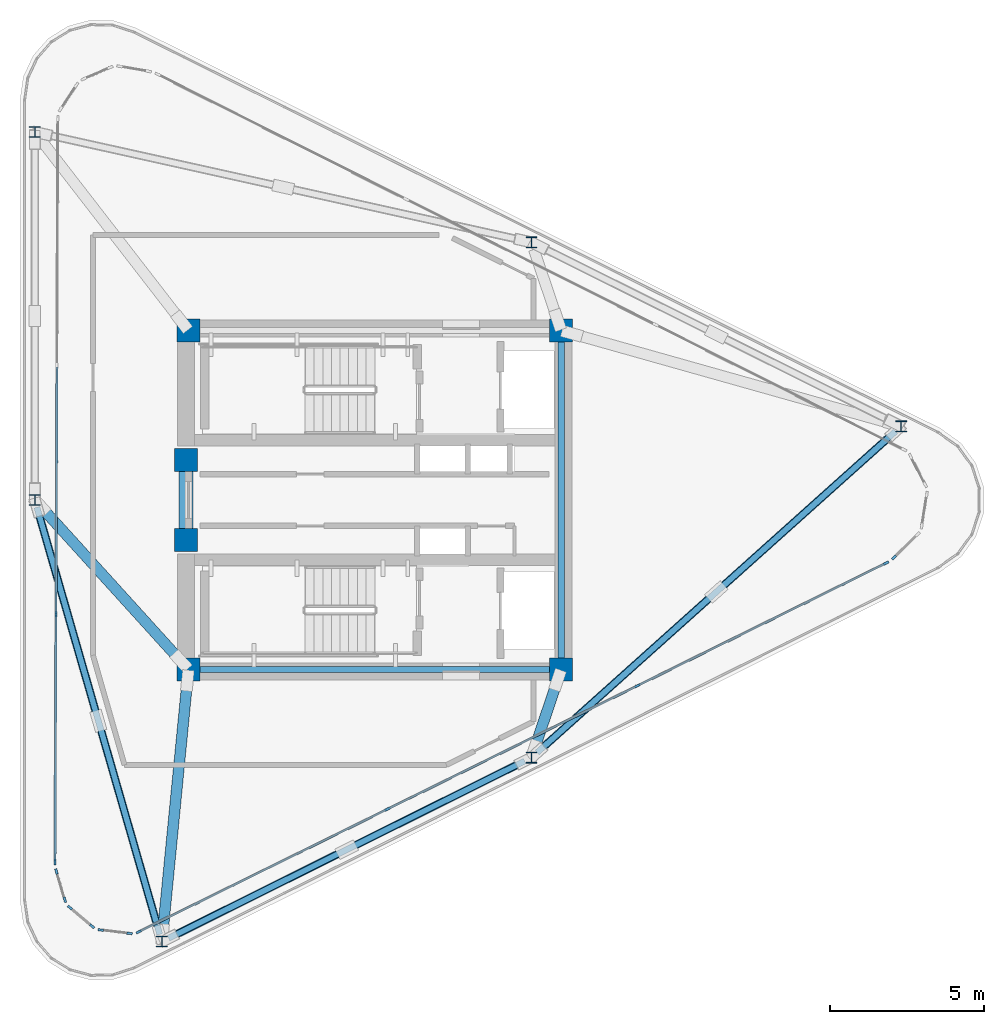
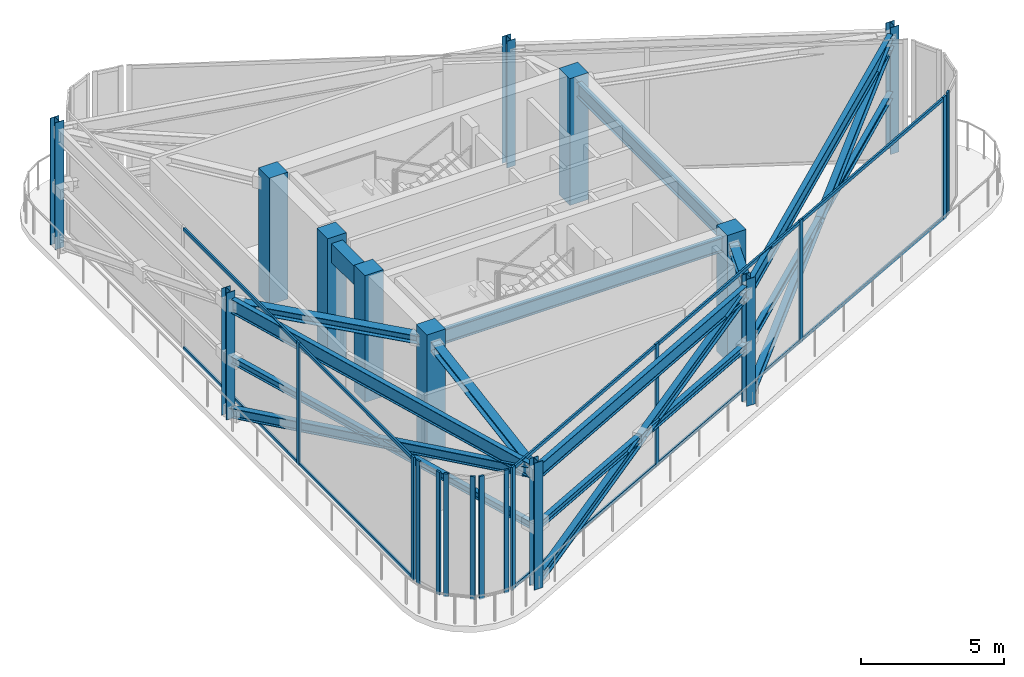
# One storey, part 1 of 9: 35 members, 12 columns, 6 beams, 6 elements without a shape of their own.
"""IFC4 building model written with IfcOpenShell, lengths in metres."""

from ifc_helpers import new_model, si_unit, direction, frame, origin, origin_2d, place, context, subcontext, project, spatial, rectangle, i_section, extrude, source, transform, mapped, material, layer, layer_set, material_profile, profile_set, type_object, element, aggregate, save


model = new_model("IFC4")

# Units and contexts
model_context = context("Model", 3, precision=1e-05, world=origin(), true_north=direction((0.0, 1.0)))
body_context = subcontext(model_context, "Body", "Model", "MODEL_VIEW")
ifc_project = project(units=[si_unit("LENGTHUNIT", "METRE"), si_unit("AREAUNIT", "SQUARE_METRE"), si_unit("VOLUMEUNIT", "CUBIC_METRE"), si_unit("PLANEANGLEUNIT", "RADIAN"), si_unit("MASSUNIT", "GRAM", prefix="KILO")], contexts=[model_context])

# Site, building, storey
site_placement = place(None, origin())
site = spatial("IfcSite", under=ifc_project, at=site_placement, CompositionType="ELEMENT")
building_placement = place(site_placement, origin())
building = spatial("IfcBuilding", under=site, at=building_placement, Name="Yunling Apex Tower", CompositionType="ELEMENT")
storey_placement = place(building_placement, frame((0.0, 0.0, 317.449951171875)))
storey = spatial("IfcBuildingStorey", under=building, at=storey_placement, Name="C01", CompositionType="ELEMENT", Elevation=317.449951171875)

# Columns
ifc_material_1 = material(Name="Concrete C50", Category="concrete")
ifc_material_profile_1 = material_profile(ifc_material_1, rectangle(XDim=0.75, YDim=0.75, at=origin_2d()))
ifc_profile_set_1 = profile_set([ifc_material_profile_1], Name="Concrete C50")
column_type_1 = type_object("IfcColumnType", Name="PC-SRC-4", PredefinedType="COLUMN", material=ifc_profile_set_1)
shared_shape_1 = source(origin(), body_context, "Body", "SweptSolid", [
    extrude(rectangle(XDim=0.75, YDim=0.75, at=origin_2d()), origin(), (0.0, 0.0, 1.0), 5.400146484375),
])
for number, where, z_axis, x_axis, name in (
    (1, (-6.050048828125, -5.5, 0.0), (0.0, 0.0, 1.0), (1.0, 0.0, 0.0), "C01 Core Spine Column CC-SW"),
    (2, (6.050048828125, -5.5, 0.0), (0.0, 0.0, 1.0), (1.0, 0.0, 0.0), "C01 Core Spine Column CC-SE"),
    (3, (6.050048828125, 5.5, 0.0), (0.0, 0.0, 1.0), (1.0, 0.0, 0.0), "C01 Core Spine Column CC-NE"),
    (4, (-6.050048828125, 5.5, 0.0), (0.0, 0.0, 1.0), (1.0, 0.0, 0.0), "C01 Core Spine Column CC-NW"),
    (5, (-6.125, -1.300048828125, 0.0), (0.0, 0.0, 1.0), (1.0, 0.0, 0.0), "C01 Core West Portal Jamb Column S"),
    (6, (-6.125, 1.300048828125, 0.0), (0.0, 0.0, 1.0), (1.0, 0.0, 0.0), "C01 Core West Portal Jamb Column N"),
):
    element("IfcColumn", number, at=place(storey_placement, frame(where, z_axis=z_axis, x_axis=x_axis)), inside=storey, type_object=column_type_1, Name=name, PredefinedType="COLUMN", context=body_context, shape_type="MappedRepresentation", body=[
        mapped(shared_shape_1, transform((0.0, 0.0, 0.0), scale=1.0)),
    ])
ifc_material_2 = material(Name="Steel Q355B", Category="steel")
ifc_material_profile_2 = material_profile(ifc_material_2, i_section(OverallWidth=0.35009765625, OverallDepth=0.35009765625, WebThickness=0.011962890625, FlangeThickness=0.01904296875, FilletRadius=0.01611328125, at=origin_2d()))
ifc_profile_set_2 = profile_set([ifc_material_profile_2], Name="Steel Q355B")
column_type_2 = type_object("IfcColumnType", Name="CC-STL-2", PredefinedType="COLUMN", material=ifc_profile_set_2)
shared_shape_2 = source(origin(), body_context, "Body", "SweptSolid", [
    extrude(i_section(OverallWidth=0.35009765625, OverallDepth=0.35009765625, WebThickness=0.011962890625, FlangeThickness=0.01904296875, FilletRadius=0.01611328125, at=origin_2d()), origin(), (0.0, 0.0, 1.0), 5.400146484375),
])
for number, where, z_axis, x_axis, name in (
    (7, (-6.9140625, -14.336669921875, 0.0), (0.0, 0.0, 1.0), (1.0, 0.0, 0.0), "C01 Crown Frame Column CP1"),
    (8, (5.086181640625, -8.364013671875, 0.0), (0.0, 0.0, 1.0), (1.0, 0.0, 0.0), "C01 Crown Frame Column CP2"),
    (9, (17.086669921875, 2.3916015625, 0.0), (0.0, 0.0, 1.0), (1.0, 0.0, 0.0), "C01 Crown Frame Column CP3"),
    (10, (5.086181640625, 8.364013671875, 0.0), (0.0, 0.0, 1.0), (1.0, 0.0, 0.0), "C01 Crown Frame Column CP4"),
    (11, (-11.037353515625, 11.9453125, 0.0), (0.0, 0.0, 1.0), (1.0, 0.0, 0.0), "C01 Crown Frame Column CP5"),
    (12, (-11.037353515625, 0.0, 0.0), (0.0, 0.0, 1.0), (1.0, 0.0, 0.0), "C01 Crown Frame Column CP6"),
):
    element("IfcColumn", number, at=place(storey_placement, frame(where, z_axis=z_axis, x_axis=x_axis)), inside=storey, type_object=column_type_2, Name=name, PredefinedType="COLUMN", context=body_context, shape_type="MappedRepresentation", body=[
        mapped(shared_shape_2, transform((0.0, 0.0, 0.0), scale=1.0)),
    ])

# Beams
ifc_material_3 = material(Name="Concrete C40", Category="concrete")
ifc_material_profile_3 = material_profile(ifc_material_3, rectangle(XDim=0.449951171875, YDim=0.800048828125, at=origin_2d()))
ifc_profile_set_3 = profile_set([ifc_material_profile_3], Name="Concrete C40")
beam_type_1 = type_object("IfcBeamType", Name="BC-CPL-3", PredefinedType="BEAM", material=ifc_profile_set_3)
shared_shape_3 = source(origin(), body_context, "Body", "SweptSolid", [
    extrude(rectangle(XDim=0.449951171875, YDim=0.800048828125, at=origin_2d()), origin(), (0.0, 0.0, 1.0), 2.5),
])
beam_1_placement = place(storey_placement, frame((-6.125, -1.25, 4.739990234375), z_axis=(0.0, 1.0, 0.0), x_axis=(-1.0, 0.0, 0.0)))
element("IfcBeam", 13, at=beam_1_placement, inside=storey, type_object=beam_type_1, Name="C01 Core West Portal Coupling Beam", PredefinedType="BEAM", context=body_context, shape_type="MappedRepresentation", body=[
    mapped(shared_shape_3, transform((0.0, 0.0, 0.0), scale=1.0)),
])
ifc_material_profile_4 = material_profile(ifc_material_2, i_section(OverallWidth=0.199951171875, OverallDepth=0.60009765625, WebThickness=0.010986328125, FlangeThickness=0.01708984375, FilletRadius=0.02197265625, at=origin_2d()))
ifc_profile_set_4 = profile_set([ifc_material_profile_4], Name="Steel Q355B")
beam_type_2 = type_object("IfcBeamType", Name="BG-PRI-5", PredefinedType="USERDEFINED", material=ifc_profile_set_4)
shared_shape_4 = source(origin(), body_context, "Body", "SweptSolid", [
    extrude(i_section(OverallWidth=0.199951171875, OverallDepth=0.60009765625, WebThickness=0.010986328125, FlangeThickness=0.01708984375, FilletRadius=0.02197265625, at=origin_2d()), origin(), (0.0, 0.0, 1.0), 11.7998046875),
])
beam_2_placement = place(storey_placement, frame((-5.89990234375, -5.5, 4.840087890625), z_axis=(1.0, 0.0, 0.0), x_axis=(0.0, 1.0, 0.0)))
element("IfcBeam", 14, at=beam_2_placement, inside=storey, type_object=beam_type_2, Name="C01 Core Ring Tie Beam 1", ObjectType="GIRDER", PredefinedType="USERDEFINED", context=body_context, shape_type="MappedRepresentation", body=[
    mapped(shared_shape_4, transform((0.0, 0.0, 0.0), scale=1.0)),
])
shared_shape_5 = source(origin(), body_context, "Body", "SweptSolid", [
    extrude(i_section(OverallWidth=0.199951171875, OverallDepth=0.60009765625, WebThickness=0.010986328125, FlangeThickness=0.01708984375, FilletRadius=0.02197265625, at=origin_2d()), origin(), (0.0, 0.0, 1.0), 10.7001953125),
])
beam_3_placement = place(storey_placement, frame((6.050048828125, -5.35009765625, 4.840087890625), z_axis=(0.0, 1.0, 0.0), x_axis=(-1.0, 0.0, 0.0)))
element("IfcBeam", 15, at=beam_3_placement, inside=storey, type_object=beam_type_2, Name="C01 Core Ring Tie Beam 2", ObjectType="GIRDER", PredefinedType="USERDEFINED", context=body_context, shape_type="MappedRepresentation", body=[
    mapped(shared_shape_5, transform((0.0, 0.0, 0.0), scale=1.0)),
])
shared_shape_6 = source(origin(), body_context, "Body", "SweptSolid", [
    extrude(i_section(OverallWidth=0.199951171875, OverallDepth=0.60009765625, WebThickness=0.010986328125, FlangeThickness=0.01708984375, FilletRadius=0.02197265625, at=origin_2d()), origin(), (0.0, 0.0, 1.0), 12.920654296875),
])
beam_4_placement = place(storey_placement, frame((-6.697509765625, -14.22900390625, 4.840087890625), z_axis=(0.895245748145, 0.445572721818, 0.0), x_axis=(-0.445572721818, 0.895245748145, 0.0)))
element("IfcBeam", 16, at=beam_4_placement, inside=storey, type_object=beam_type_2, Name="C01 Crown Ring Beam 1", ObjectType="GIRDER", PredefinedType="USERDEFINED", context=body_context, shape_type="MappedRepresentation", body=[
    mapped(shared_shape_6, transform((0.0, 0.0, 0.0), scale=1.0)),
])

# Members
ifc_material_profile_5 = material_profile(ifc_material_2, i_section(OverallWidth=0.25, OverallDepth=0.39990234375, WebThickness=0.013916015625, FlangeThickness=0.02197265625, FilletRadius=0.01611328125, at=origin_2d()))
ifc_profile_set_5 = profile_set([ifc_material_profile_5], Name="Steel Q355B")
member_type_1 = type_object("IfcMemberType", Name="CR-RIB-1", PredefinedType="RAFTER", material=ifc_profile_set_5)
shared_shape_7 = source(origin(), body_context, "Body", "SweptSolid", [
    extrude(i_section(OverallWidth=0.25, OverallDepth=0.39990234375, WebThickness=0.013916015625, FlangeThickness=0.02197265625, FilletRadius=0.01611328125, at=origin_2d()), origin(), (0.0, 0.0, 1.0), 13.678466796875),
])
member_1_placement = place(storey_placement, frame((-6.697509765625, -14.22900390625, 0.300048828125), z_axis=(0.845640817828, 0.420883854138, 0.328250496648), x_axis=(-0.445572721818, 0.895245748145, 0.0)))
element("IfcMember", 17, at=member_1_placement, inside=storey, type_object=member_type_1, Name="C01 Crown Faceted Structural Rafter 1", PredefinedType="RAFTER", context=body_context, shape_type="MappedRepresentation", body=[
    mapped(shared_shape_7, transform((0.0, 0.0, 0.0), scale=1.0)),
])
ifc_material_profile_6 = material_profile(ifc_material_2, i_section(OverallWidth=0.199951171875, OverallDepth=0.300048828125, WebThickness=0.009033203125, FlangeThickness=0.013916015625, FilletRadius=0.013916015625, at=origin_2d()))
ifc_profile_set_6 = profile_set([ifc_material_profile_6], Name="Steel Q355B")
member_type_2 = type_object("IfcMemberType", Name="CR-PUR-1", PredefinedType="PURLIN", material=ifc_profile_set_6)
shared_shape_8 = source(origin(), body_context, "Body", "SweptSolid", [
    extrude(i_section(OverallWidth=0.199951171875, OverallDepth=0.300048828125, WebThickness=0.009033203125, FlangeThickness=0.013916015625, FilletRadius=0.013916015625, at=origin_2d()), origin(), (0.0, 0.0, 1.0), 6.33544921875),
])
member_2_placement = place(storey_placement, frame((-6.697509765625, -14.22900390625, 2.545166015625), z_axis=(0.895234987266, 0.445594341946, 0.0), x_axis=(-0.445594341946, 0.895234987266, 0.0)))
element("IfcMember", 18, at=member_2_placement, inside=storey, type_object=member_type_2, Name="C01 Crown Faceted Glazing Purlin 1A", PredefinedType="PURLIN", context=body_context, shape_type="MappedRepresentation", body=[
    mapped(shared_shape_8, transform((0.0, 0.0, 0.0), scale=1.0)),
])
shared_shape_9 = source(origin(), body_context, "Body", "SweptSolid", [
    extrude(i_section(OverallWidth=0.199951171875, OverallDepth=0.300048828125, WebThickness=0.009033203125, FlangeThickness=0.013916015625, FilletRadius=0.013916015625, at=origin_2d()), origin(), (0.0, 0.0, 1.0), 6.335205078125),
])
member_3_placement = place(storey_placement, frame((-0.802001953125, -11.294677734375, 2.545166015625), z_axis=(0.895250359545, 0.445563456462, 0.0), x_axis=(-0.445563456462, 0.895250359545, 0.0)))
element("IfcMember", 19, at=member_3_placement, inside=storey, type_object=member_type_2, Name="C01 Crown Faceted Glazing Purlin 1B", PredefinedType="PURLIN", context=body_context, shape_type="MappedRepresentation", body=[
    mapped(shared_shape_9, transform((0.0, 0.0, 0.0), scale=1.0)),
])
ifc_material_profile_7 = material_profile(ifc_material_2, i_section(OverallWidth=0.35009765625, OverallDepth=0.35009765625, WebThickness=0.011962890625, FlangeThickness=0.01904296875, FilletRadius=0.01611328125, at=origin_2d()))
ifc_profile_set_7 = profile_set([ifc_material_profile_7], Name="Steel Q355B")
member_type_3 = type_object("IfcMemberType", Name="ST-STR-1", PredefinedType="STRUT", material=ifc_profile_set_7)
shared_shape_10 = source(origin(), body_context, "Body", "SweptSolid", [
    extrude(i_section(OverallWidth=0.35009765625, OverallDepth=0.35009765625, WebThickness=0.011962890625, FlangeThickness=0.01904296875, FilletRadius=0.01611328125, at=origin_2d()), origin(), (0.0, 0.0, 1.0), 8.271728515625),
])
member_4_placement = place(storey_placement, frame((-6.08544921875, -5.86328125, 4.840087890625), z_axis=(-0.097311751773, -0.995253948983, 0.0), x_axis=(0.995253948983, -0.097311751773, 0.0)))
element("IfcMember", 20, at=member_4_placement, inside=storey, type_object=member_type_3, Name="C01 Crown Radial Stabilizer Strut 1", PredefinedType="STRUT", context=body_context, shape_type="MappedRepresentation", body=[
    mapped(shared_shape_10, transform((0.0, 0.0, 0.0), scale=1.0)),
])

# Beam
shared_shape_11 = source(origin(), body_context, "Body", "SweptSolid", [
    extrude(i_section(OverallWidth=0.199951171875, OverallDepth=0.60009765625, WebThickness=0.010986328125, FlangeThickness=0.01708984375, FilletRadius=0.02197265625, at=origin_2d()), origin(), (0.0, 0.0, 1.0), 15.630859375),
])
beam_5_placement = place(storey_placement, frame((5.2666015625, -8.20263671875, 4.840087890625), z_axis=(0.744669550706, 0.667433337684, 0.0), x_axis=(-0.667433337684, 0.744669550706, 0.0)))
element("IfcBeam", 21, at=beam_5_placement, inside=storey, type_object=beam_type_2, Name="C01 Crown Ring Beam 2", ObjectType="GIRDER", PredefinedType="USERDEFINED", context=body_context, shape_type="MappedRepresentation", body=[
    mapped(shared_shape_11, transform((0.0, 0.0, 0.0), scale=1.0)),
])

# Members
shared_shape_12 = source(origin(), body_context, "Body", "SweptSolid", [
    extrude(i_section(OverallWidth=0.25, OverallDepth=0.39990234375, WebThickness=0.013916015625, FlangeThickness=0.02197265625, FilletRadius=0.01611328125, at=origin_2d()), origin(), (0.0, 0.0, 1.0), 16.262939453125),
])
member_5_placement = place(storey_placement, frame((5.2666015625, -8.20263671875, 0.300048828125), z_axis=(0.715726545235, 0.641492265264, 0.276085468746), x_axis=(-0.667433337684, 0.744669550706, 0.0)))
element("IfcMember", 22, at=member_5_placement, inside=storey, type_object=member_type_1, Name="C01 Crown Faceted Structural Rafter 2", PredefinedType="RAFTER", context=body_context, shape_type="MappedRepresentation", body=[
    mapped(shared_shape_12, transform((0.0, 0.0, 0.0), scale=1.0)),
])
shared_shape_13 = source(origin(), body_context, "Body", "SweptSolid", [
    extrude(i_section(OverallWidth=0.199951171875, OverallDepth=0.300048828125, WebThickness=0.009033203125, FlangeThickness=0.013916015625, FilletRadius=0.013916015625, at=origin_2d()), origin(), (0.0, 0.0, 1.0), 7.6904296875),
])
for number, where, z_axis, x_axis, name in (
    (23, (5.2666015625, -8.20263671875, 2.545166015625), (0.744654856598, 0.667449731849, 0.0), (-0.667449731849, 0.744654856598, 0.0), "C01 Crown Faceted Glazing Purlin 2A"),
    (24, (11.1796875, -2.90283203125, 2.545166015625), (0.744670634877, 0.667432128049, 0.0), (-0.667432128049, 0.744670634877, 0.0), "C01 Crown Faceted Glazing Purlin 2B"),
):
    element("IfcMember", number, at=place(storey_placement, frame(where, z_axis=z_axis, x_axis=x_axis)), inside=storey, type_object=member_type_2, Name=name, PredefinedType="PURLIN", context=body_context, shape_type="MappedRepresentation", body=[
        mapped(shared_shape_13, transform((0.0, 0.0, 0.0), scale=1.0)),
    ])
shared_shape_14 = source(origin(), body_context, "Body", "SweptSolid", [
    extrude(i_section(OverallWidth=0.35009765625, OverallDepth=0.35009765625, WebThickness=0.011962890625, FlangeThickness=0.01904296875, FilletRadius=0.01611328125, at=origin_2d()), origin(), (0.0, 0.0, 1.0), 2.414794921875),
])
member_6_placement = place(storey_placement, frame((5.93359375, -5.845947265625, 4.840087890625), z_axis=(-0.318865218204, -0.947800069962, 0.0), x_axis=(0.947800069962, -0.318865218204, 0.0)))
element("IfcMember", 25, at=member_6_placement, inside=storey, type_object=member_type_3, Name="C01 Crown Radial Stabilizer Strut 2", PredefinedType="STRUT", context=body_context, shape_type="MappedRepresentation", body=[
    mapped(shared_shape_14, transform((0.0, 0.0, 0.0), scale=1.0)),
])

# Beam
shared_shape_15 = source(origin(), body_context, "Body", "SweptSolid", [
    extrude(i_section(OverallWidth=0.199951171875, OverallDepth=0.60009765625, WebThickness=0.010986328125, FlangeThickness=0.01708984375, FilletRadius=0.02197265625, at=origin_2d()), origin(), (0.0, 0.0, 1.0), 14.43359375),
])
beam_6_placement = place(storey_placement, frame((-10.970458984375, -0.232666015625, 4.840087890625), z_axis=(0.276402921078, -0.961041843636, 0.0), x_axis=(0.961041843636, 0.276402921078, 0.0)))
element("IfcBeam", 26, at=beam_6_placement, inside=storey, type_object=beam_type_2, Name="C01 Crown Ring Beam 6", ObjectType="GIRDER", PredefinedType="USERDEFINED", context=body_context, shape_type="MappedRepresentation", body=[
    mapped(shared_shape_15, transform((0.0, 0.0, 0.0), scale=1.0)),
])

# Members
shared_shape_16 = source(origin(), body_context, "Body", "SweptSolid", [
    extrude(i_section(OverallWidth=0.25, OverallDepth=0.39990234375, WebThickness=0.013916015625, FlangeThickness=0.02197265625, FilletRadius=0.01611328125, at=origin_2d()), origin(), (0.0, 0.0, 1.0), 15.115966796875),
])
member_7_placement = place(storey_placement, frame((-10.970458984375, -0.232666015625, 0.300048828125), z_axis=(0.263927678522, -0.917665926847, 0.297037753853), x_axis=(0.961041843636, 0.276402921078, 0.0)))
element("IfcMember", 27, at=member_7_placement, inside=storey, type_object=member_type_1, Name="C01 Crown Faceted Structural Rafter 6", PredefinedType="RAFTER", context=body_context, shape_type="MappedRepresentation", body=[
    mapped(shared_shape_16, transform((0.0, 0.0, 0.0), scale=1.0)),
])
shared_shape_17 = source(origin(), body_context, "Body", "SweptSolid", [
    extrude(i_section(OverallWidth=0.199951171875, OverallDepth=0.300048828125, WebThickness=0.009033203125, FlangeThickness=0.013916015625, FilletRadius=0.013916015625, at=origin_2d()), origin(), (0.0, 0.0, 1.0), 7.092041015625),
])
member_8_placement = place(storey_placement, frame((-10.970458984375, -0.232666015625, 2.545166015625), z_axis=(0.276398442008, -0.961043131839, 0.0), x_axis=(0.961043131839, 0.276398442008, 0.0)))
element("IfcMember", 28, at=member_8_placement, inside=storey, type_object=member_type_2, Name="C01 Crown Faceted Glazing Purlin 6A", PredefinedType="PURLIN", context=body_context, shape_type="MappedRepresentation", body=[
    mapped(shared_shape_17, transform((0.0, 0.0, 0.0), scale=1.0)),
])
shared_shape_18 = source(origin(), body_context, "Body", "SweptSolid", [
    extrude(i_section(OverallWidth=0.199951171875, OverallDepth=0.300048828125, WebThickness=0.009033203125, FlangeThickness=0.013916015625, FilletRadius=0.013916015625, at=origin_2d()), origin(), (0.0, 0.0, 1.0), 7.091796875),
])
member_9_placement = place(storey_placement, frame((-8.941162109375, -7.28857421875, 2.545166015625), z_axis=(0.276407586643, -0.961040501772, 0.0), x_axis=(0.961040501772, 0.276407586643, 0.0)))
element("IfcMember", 29, at=member_9_placement, inside=storey, type_object=member_type_2, Name="C01 Crown Faceted Glazing Purlin 6B", PredefinedType="PURLIN", context=body_context, shape_type="MappedRepresentation", body=[
    mapped(shared_shape_18, transform((0.0, 0.0, 0.0), scale=1.0)),
])
shared_shape_19 = source(origin(), body_context, "Body", "SweptSolid", [
    extrude(i_section(OverallWidth=0.35009765625, OverallDepth=0.35009765625, WebThickness=0.011962890625, FlangeThickness=0.01904296875, FilletRadius=0.01611328125, at=origin_2d()), origin(), (0.0, 0.0, 1.0), 6.8173828125),
])
member_10_placement = place(storey_placement, frame((-6.295166015625, -5.2294921875, 4.840087890625), z_axis=(-0.671741825615, 0.740785339838, 0.0), x_axis=(-0.740785339838, -0.671741825615, 0.0)))
element("IfcMember", 30, at=member_10_placement, inside=storey, type_object=member_type_3, Name="C01 Crown Radial Stabilizer Strut 6", PredefinedType="STRUT", context=body_context, shape_type="MappedRepresentation", body=[
    mapped(shared_shape_19, transform((0.0, 0.0, 0.0), scale=1.0)),
])

# Curtain wall, members
ifc_material_4 = material(Name="Bronze anodised aluminium", Category="aluminium")
ifc_layer = layer(ifc_material_4, 0.179931640625)
ifc_layer_set = layer_set([ifc_layer], Name="Bronze anodised aluminium")
curtain_wall_type = type_object("IfcCurtainWallType", Name="CW-SYS-6", PredefinedType="NOTDEFINED", material=ifc_layer_set)
curtain_wall_1_placement = place(storey_placement, origin())
curtain_wall_1 = element("IfcCurtainWall", 31, at=curtain_wall_1_placement, inside=storey, type_object=curtain_wall_type, Name="CW-C01-01", PredefinedType="NOTDEFINED")
ifc_material_profile_8 = material_profile(ifc_material_4, rectangle(XDim=0.074951171875, YDim=0.179931640625, at=origin_2d()))
ifc_profile_set_8 = profile_set([ifc_material_profile_8], Name="Bronze anodised aluminium")
member_type_4 = type_object("IfcMemberType", Name="CW-MUL-6", PredefinedType="MULLION", material=ifc_profile_set_8)
shared_shape_20 = source(origin(), body_context, "Body", "SweptSolid", [
    extrude(rectangle(XDim=0.074951171875, YDim=0.179931640625, at=origin_2d()), origin(), (0.0, 0.0, 1.0), 5.239990234375),
])
member_11_placement = place(storey_placement, frame((-10.381103515625, -11.752685546875, -0.050048828125), z_axis=(0.0, 0.0, 1.0), x_axis=(-0.999992598746, 0.003847395568, 0.0)))
member_11 = element("IfcMember", 32, at=member_11_placement, type_object=member_type_4, Name="CW-SYS-6 mullion 1", PredefinedType="MULLION", context=body_context, shape_type="MappedRepresentation", body=[
    mapped(shared_shape_20, transform((0.0, 0.0, 0.0), scale=1.0)),
])
member_12_placement = place(storey_placement, frame((-10.35009765625, -3.71533203125, -0.050048828125), z_axis=(0.0, 0.0, 1.0), x_axis=(-0.999992598746, 0.003847395568, 0.0)))
member_12 = element("IfcMember", 33, at=member_12_placement, type_object=member_type_4, Name="CW-SYS-6 mullion 2", PredefinedType="MULLION", context=body_context, shape_type="MappedRepresentation", body=[
    mapped(shared_shape_20, transform((0.0, 0.0, 0.0), scale=1.0)),
])

# Curtain wall, member
curtain_wall_2_placement = place(storey_placement, origin())
curtain_wall_2 = element("IfcCurtainWall", 34, at=curtain_wall_2_placement, inside=storey, type_object=curtain_wall_type, Name="CW-C01-08", PredefinedType="NOTDEFINED")
member_13_placement = place(storey_placement, frame((16.85546875, -1.8662109375, -0.050048828125), z_axis=(0.0, 0.0, 1.0), x_axis=(0.701056343088, -0.713105885416, 0.0)))
member_13 = element("IfcMember", 35, at=member_13_placement, type_object=member_type_4, Name="CW-SYS-6 mullion 2", PredefinedType="MULLION", context=body_context, shape_type="MappedRepresentation", body=[
    mapped(shared_shape_20, transform((0.0, 0.0, 0.0), scale=1.0)),
])
aggregate(curtain_wall_2, [member_13])

# Curtain wall, members
curtain_wall_3_placement = place(storey_placement, origin())
curtain_wall_3 = element("IfcCurtainWall", 36, at=curtain_wall_3_placement, inside=storey, type_object=curtain_wall_type, Name="CW-C01-09", PredefinedType="NOTDEFINED")
member_14_placement = place(storey_placement, frame((16.601806640625, -2.04638671875, -0.050048828125), z_axis=(0.0, 0.0, 1.0), x_axis=(0.442496275998, -0.896770341686, 0.0)))
member_14 = element("IfcMember", 37, at=member_14_placement, type_object=member_type_4, Name="CW-SYS-6 mullion 1", PredefinedType="MULLION", context=body_context, shape_type="MappedRepresentation", body=[
    mapped(shared_shape_20, transform((0.0, 0.0, 0.0), scale=1.0)),
])
member_15_placement = place(storey_placement, frame((8.52392578125, -6.0322265625, -0.050048828125), z_axis=(0.0, 0.0, 1.0), x_axis=(0.442496275998, -0.896770341686, 0.0)))
member_15 = element("IfcMember", 38, at=member_15_placement, type_object=member_type_4, Name="CW-SYS-6 mullion 2", PredefinedType="MULLION", context=body_context, shape_type="MappedRepresentation", body=[
    mapped(shared_shape_20, transform((0.0, 0.0, 0.0), scale=1.0)),
])
member_16_placement = place(storey_placement, frame((0.412353515625, -10.03466796875, -0.050048828125), z_axis=(0.0, 0.0, 1.0), x_axis=(0.442496275998, -0.896770341686, 0.0)))
member_16 = element("IfcMember", 39, at=member_16_placement, type_object=member_type_4, Name="CW-SYS-6 mullion 3", PredefinedType="MULLION", context=body_context, shape_type="MappedRepresentation", body=[
    mapped(shared_shape_20, transform((0.0, 0.0, 0.0), scale=1.0)),
])
member_17_placement = place(storey_placement, frame((-7.66552734375, -14.0205078125, -0.050048828125), z_axis=(0.0, 0.0, 1.0), x_axis=(0.442496275998, -0.896770341686, 0.0)))
member_17 = element("IfcMember", 40, at=member_17_placement, type_object=member_type_4, Name="CW-SYS-6 mullion 4", PredefinedType="MULLION", context=body_context, shape_type="MappedRepresentation", body=[
    mapped(shared_shape_20, transform((0.0, 0.0, 0.0), scale=1.0)),
])

curtain_wall_4_placement = place(storey_placement, origin())
curtain_wall_4 = element("IfcCurtainWall", 41, at=curtain_wall_4_placement, inside=storey, type_object=curtain_wall_type, Name="CW-C01-10", PredefinedType="NOTDEFINED")
member_18_placement = place(storey_placement, frame((-7.963134765625, -14.071533203125, -0.050048828125), z_axis=(0.0, 0.0, 1.0), x_axis=(-0.118692276469, -0.992931086988, 0.0)))
member_18 = element("IfcMember", 42, at=member_18_placement, type_object=member_type_4, Name="CW-SYS-6 mullion 1", PredefinedType="MULLION", context=body_context, shape_type="MappedRepresentation", body=[
    mapped(shared_shape_20, transform((0.0, 0.0, 0.0), scale=1.0)),
])
member_19_placement = place(storey_placement, frame((-8.89990234375, -13.959716796875, -0.050048828125), z_axis=(0.0, 0.0, 1.0), x_axis=(-0.118692276469, -0.992931086988, 0.0)))
member_19 = element("IfcMember", 43, at=member_19_placement, type_object=member_type_4, Name="CW-SYS-6 mullion 2", PredefinedType="MULLION", context=body_context, shape_type="MappedRepresentation", body=[
    mapped(shared_shape_20, transform((0.0, 0.0, 0.0), scale=1.0)),
])
aggregate(curtain_wall_4, [member_18, member_19])

curtain_wall_5_placement = place(storey_placement, origin())
curtain_wall_5 = element("IfcCurtainWall", 44, at=curtain_wall_5_placement, inside=storey, type_object=curtain_wall_type, Name="CW-C01-11", PredefinedType="NOTDEFINED")
member_20_placement = place(storey_placement, frame((-9.177001953125, -13.839599609375, -0.050048828125), z_axis=(0.0, 0.0, 1.0), x_axis=(-0.643981536236, -0.765041032224, 0.0)))
member_20 = element("IfcMember", 45, at=member_20_placement, type_object=member_type_4, Name="CW-SYS-6 mullion 1", PredefinedType="MULLION", context=body_context, shape_type="MappedRepresentation", body=[
    mapped(shared_shape_20, transform((0.0, 0.0, 0.0), scale=1.0)),
])
member_21_placement = place(storey_placement, frame((-9.898681640625, -13.23193359375, -0.050048828125), z_axis=(0.0, 0.0, 1.0), x_axis=(-0.643981536236, -0.765041032224, 0.0)))
member_21 = element("IfcMember", 46, at=member_21_placement, type_object=member_type_4, Name="CW-SYS-6 mullion 2", PredefinedType="MULLION", context=body_context, shape_type="MappedRepresentation", body=[
    mapped(shared_shape_20, transform((0.0, 0.0, 0.0), scale=1.0)),
])
aggregate(curtain_wall_5, [member_20, member_21])

curtain_wall_6_placement = place(storey_placement, origin())
curtain_wall_6 = element("IfcCurtainWall", 47, at=curtain_wall_6_placement, inside=storey, type_object=curtain_wall_type, Name="CW-C01-12", PredefinedType="NOTDEFINED")
member_22_placement = place(storey_placement, frame((-10.06396484375, -12.9794921875, -0.050048828125), z_axis=(0.0, 0.0, 1.0), x_axis=(-0.958627058209, -0.284665001836, 0.0)))
member_22 = element("IfcMember", 48, at=member_22_placement, type_object=member_type_4, Name="CW-SYS-6 mullion 1", PredefinedType="MULLION", context=body_context, shape_type="MappedRepresentation", body=[
    mapped(shared_shape_20, transform((0.0, 0.0, 0.0), scale=1.0)),
])
member_23_placement = place(storey_placement, frame((-10.3369140625, -12.06103515625, -0.050048828125), z_axis=(0.0, 0.0, 1.0), x_axis=(-0.958627058209, -0.284665001836, 0.0)))
member_23 = element("IfcMember", 49, at=member_23_placement, type_object=member_type_4, Name="CW-SYS-6 mullion 2", PredefinedType="MULLION", context=body_context, shape_type="MappedRepresentation", body=[
    mapped(shared_shape_20, transform((0.0, 0.0, 0.0), scale=1.0)),
])
aggregate(curtain_wall_6, [member_22, member_23])

# Member
ifc_material_profile_9 = material_profile(ifc_material_4, rectangle(XDim=0.074951171875, YDim=0.139892578125, at=origin_2d()))
ifc_profile_set_9 = profile_set([ifc_material_profile_9], Name="Bronze anodised aluminium")
member_type_5 = type_object("IfcMemberType", Name="CW-TRN-6", PredefinedType="USERDEFINED", material=ifc_profile_set_9)
shared_shape_21 = source(origin(), body_context, "Body", "SweptSolid", [
    extrude(rectangle(XDim=0.074951171875, YDim=0.139892578125, at=origin_2d()), origin(), (0.0, 0.0, 1.0), 7.969482421875),
])
member_24_placement = place(storey_placement, frame((-10.380859375, -11.71875, 0.03759765625), z_axis=(0.003829276829, 0.999992668293, 0.0), x_axis=(-0.999992668293, 0.003829276829, 0.0)))
member_24 = element("IfcMember", 50, at=member_24_placement, type_object=member_type_5, Name="CW-SYS-6 transom 1.1", ObjectType="TRANSOM", PredefinedType="USERDEFINED", context=body_context, shape_type="MappedRepresentation", body=[
    mapped(shared_shape_21, transform((0.0, 0.0, 0.0), scale=1.0)),
])

member_25_placement = place(storey_placement, frame((-10.380859375, -11.71875, 5.1025390625), z_axis=(0.003829276829, 0.999992668293, 0.0), x_axis=(-0.999992668293, 0.003829276829, 0.0)))
member_25 = element("IfcMember", 51, at=member_25_placement, type_object=member_type_5, Name="CW-SYS-6 transom 1.2", ObjectType="TRANSOM", PredefinedType="USERDEFINED", context=body_context, shape_type="MappedRepresentation", body=[
    mapped(shared_shape_21, transform((0.0, 0.0, 0.0), scale=1.0)),
])

shared_shape_22 = source(origin(), body_context, "Body", "SweptSolid", [
    extrude(rectangle(XDim=0.074951171875, YDim=0.139892578125, at=origin_2d()), origin(), (0.0, 0.0, 1.0), 8.007080078125),
])
member_26_placement = place(storey_placement, frame((-10.35009765625, -3.681640625, 0.03759765625), z_axis=(0.003872276362, 0.99999250271, 0.0), x_axis=(-0.99999250271, 0.003872276362, 0.0)))
member_26 = element("IfcMember", 52, at=member_26_placement, type_object=member_type_5, Name="CW-SYS-6 transom 2.1", ObjectType="TRANSOM", PredefinedType="USERDEFINED", context=body_context, shape_type="MappedRepresentation", body=[
    mapped(shared_shape_22, transform((0.0, 0.0, 0.0), scale=1.0)),
])

member_27_placement = place(storey_placement, frame((-10.35009765625, -3.681640625, 5.1025390625), z_axis=(0.003872276362, 0.99999250271, 0.0), x_axis=(-0.99999250271, 0.003872276362, 0.0)))
member_27 = element("IfcMember", 53, at=member_27_placement, type_object=member_type_5, Name="CW-SYS-6 transom 2.2", ObjectType="TRANSOM", PredefinedType="USERDEFINED", context=body_context, shape_type="MappedRepresentation", body=[
    mapped(shared_shape_22, transform((0.0, 0.0, 0.0), scale=1.0)),
])

aggregate(curtain_wall_1, [member_11, member_12, member_24, member_25, member_26, member_27])

shared_shape_23 = source(origin(), body_context, "Body", "SweptSolid", [
    extrude(rectangle(XDim=0.074951171875, YDim=0.139892578125, at=origin_2d()), origin(), (0.0, 0.0, 1.0), 8.940185546875),
])
member_28_placement = place(storey_placement, frame((16.571533203125, -2.061279296875, 0.03759765625), z_axis=(-0.89676875377, -0.44249949408, 0.0), x_axis=(0.44249949408, -0.89676875377, 0.0)))
member_28 = element("IfcMember", 54, at=member_28_placement, type_object=member_type_5, Name="CW-SYS-6 transom 1.1", ObjectType="TRANSOM", PredefinedType="USERDEFINED", context=body_context, shape_type="MappedRepresentation", body=[
    mapped(shared_shape_23, transform((0.0, 0.0, 0.0), scale=1.0)),
])

member_29_placement = place(storey_placement, frame((16.571533203125, -2.061279296875, 5.1025390625), z_axis=(-0.89676875377, -0.44249949408, 0.0), x_axis=(0.44249949408, -0.89676875377, 0.0)))
member_29 = element("IfcMember", 55, at=member_29_placement, type_object=member_type_5, Name="CW-SYS-6 transom 1.2", ObjectType="TRANSOM", PredefinedType="USERDEFINED", context=body_context, shape_type="MappedRepresentation", body=[
    mapped(shared_shape_23, transform((0.0, 0.0, 0.0), scale=1.0)),
])

member_30_placement = place(storey_placement, frame((0.382080078125, -10.049560546875, 0.03759765625), z_axis=(-0.89676875377, -0.44249949408, 0.0), x_axis=(0.44249949408, -0.89676875377, 0.0)))
member_30 = element("IfcMember", 56, at=member_30_placement, type_object=member_type_5, Name="CW-SYS-6 transom 3.1", ObjectType="TRANSOM", PredefinedType="USERDEFINED", context=body_context, shape_type="MappedRepresentation", body=[
    mapped(shared_shape_23, transform((0.0, 0.0, 0.0), scale=1.0)),
])

member_31_placement = place(storey_placement, frame((0.382080078125, -10.049560546875, 5.1025390625), z_axis=(-0.89676875377, -0.44249949408, 0.0), x_axis=(0.44249949408, -0.89676875377, 0.0)))
member_31 = element("IfcMember", 57, at=member_31_placement, type_object=member_type_5, Name="CW-SYS-6 transom 3.2", ObjectType="TRANSOM", PredefinedType="USERDEFINED", context=body_context, shape_type="MappedRepresentation", body=[
    mapped(shared_shape_23, transform((0.0, 0.0, 0.0), scale=1.0)),
])

shared_shape_24 = source(origin(), body_context, "Body", "SweptSolid", [
    extrude(rectangle(XDim=0.074951171875, YDim=0.139892578125, at=origin_2d()), origin(), (0.0, 0.0, 1.0), 8.977783203125),
])
member_32_placement = place(storey_placement, frame((8.49365234375, -6.047119140625, 0.03759765625), z_axis=(-0.896769772441, -0.442497429638, 0.0), x_axis=(0.442497429638, -0.896769772441, 0.0)))
member_32 = element("IfcMember", 58, at=member_32_placement, type_object=member_type_5, Name="CW-SYS-6 transom 2.1", ObjectType="TRANSOM", PredefinedType="USERDEFINED", context=body_context, shape_type="MappedRepresentation", body=[
    mapped(shared_shape_24, transform((0.0, 0.0, 0.0), scale=1.0)),
])

member_33_placement = place(storey_placement, frame((8.49365234375, -6.047119140625, 5.1025390625), z_axis=(-0.896769772441, -0.442497429638, 0.0), x_axis=(0.442497429638, -0.896769772441, 0.0)))
member_33 = element("IfcMember", 59, at=member_33_placement, type_object=member_type_5, Name="CW-SYS-6 transom 2.2", ObjectType="TRANSOM", PredefinedType="USERDEFINED", context=body_context, shape_type="MappedRepresentation", body=[
    mapped(shared_shape_24, transform((0.0, 0.0, 0.0), scale=1.0)),
])

aggregate(curtain_wall_3, [member_14, member_15, member_16, member_17, member_28, member_29, member_32, member_33, member_30, member_31])

save(model, "model.ifc")
